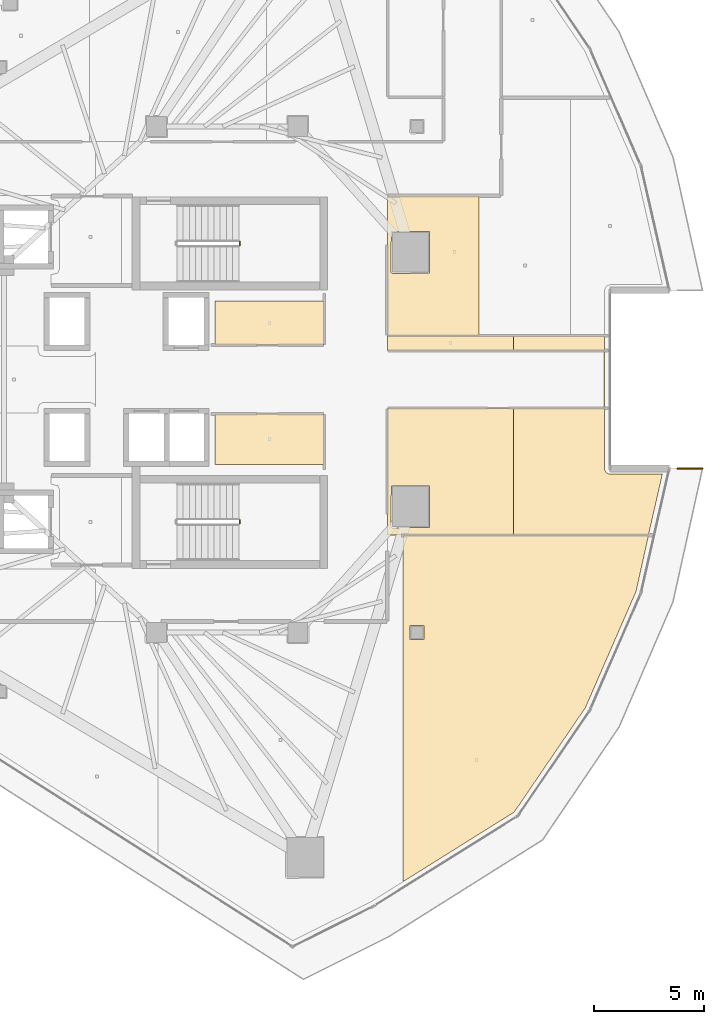
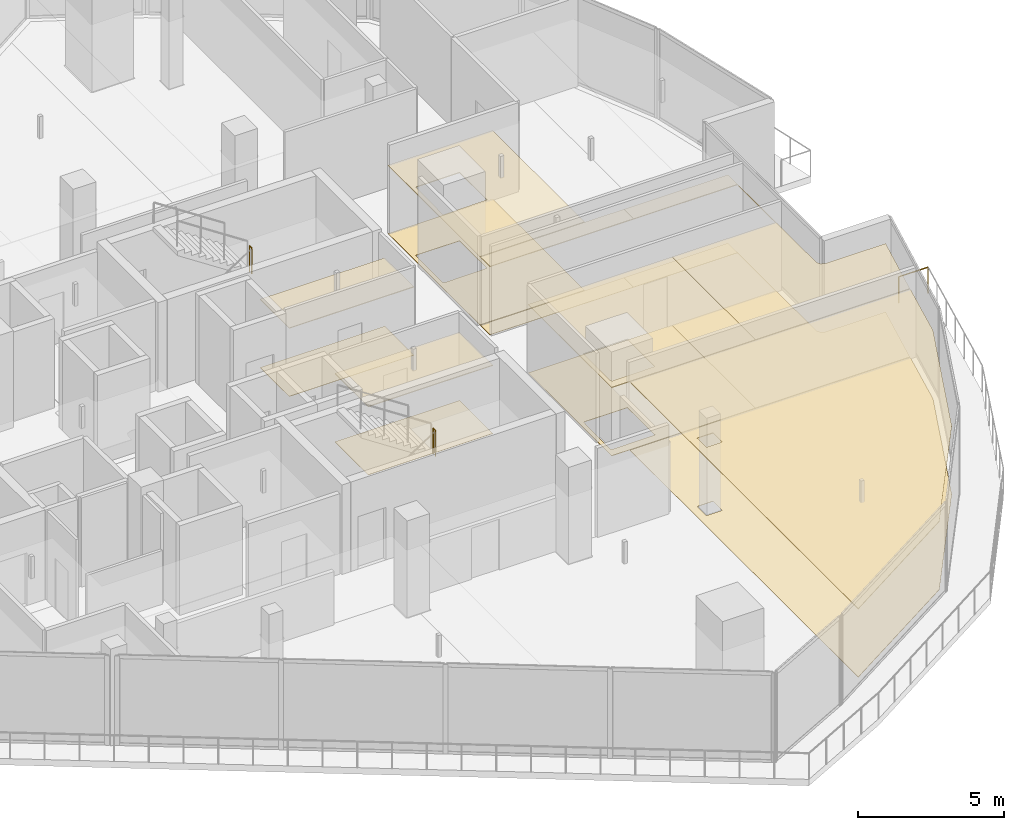
# One storey, part 33 of 34: 14 coverings, 3 railings.
"""IFC4 building model written with IfcOpenShell, lengths in metres."""

from ifc_helpers import new_model, si_unit, direction, frame, origin, origin_2d, place, context, subcontext, project, spatial, polyline, circle, outline, extrude, material, layer, layer_set, type_object, element, save


model = new_model("IFC4")

# Units and contexts
model_context = context("Model", 3, precision=1e-05, world=origin(), true_north=direction((0.0, 1.0)))
body_context = subcontext(model_context, "Body", "Model", "MODEL_VIEW")
ifc_project = project(units=[si_unit("LENGTHUNIT", "METRE"), si_unit("AREAUNIT", "SQUARE_METRE"), si_unit("VOLUMEUNIT", "CUBIC_METRE"), si_unit("PLANEANGLEUNIT", "RADIAN"), si_unit("MASSUNIT", "GRAM", prefix="KILO")], contexts=[model_context])

# Site, building, storey
site_placement = place(None, origin())
site = spatial("IfcSite", under=ifc_project, at=site_placement, CompositionType="ELEMENT")
building_placement = place(site_placement, origin())
building = spatial("IfcBuilding", under=site, at=building_placement, Name="Qorvath Tower", CompositionType="ELEMENT")
storey_placement = place(building_placement, frame((0.0, 0.0, 245.550048828125)))
storey = spatial("IfcBuildingStorey", under=building, at=storey_placement, Name="L57", CompositionType="ELEMENT", Elevation=245.550048828125)

# Coverings
ifc_material_1 = material(Name="Acoustic mineral fibre ceiling tile", Category="gypsum")
ifc_layer_1 = layer(ifc_material_1, 0.030029296875)
ifc_layer_set_1 = layer_set([ifc_layer_1], Name="COV-CEIL")
covering_type_1 = type_object("IfcCoveringType", Name="COV-CEIL", PredefinedType="CEILING", material=ifc_layer_set_1)
covering_1_placement = place(storey_placement, frame((0.0, 0.0, 2.849853515625)))
element("IfcCovering", 1, at=covering_1_placement, inside=storey, type_object=covering_type_1, Name="L57 Suspended Acoustic Ceiling 003", PredefinedType="CEILING", context=body_context, shape_type="SweptSolid", body=[
    extrude(outline(polyline([(-16.0048828125, 3.56005859375), (-20.93994140625, 3.56005859375), (-20.93994140625, 1.56494140625), (-16.0048828125, 1.56494140625), (-16.0048828125, 3.56005859375)])), origin(), (0.0, 0.0, 1.0), 0.030029296875),
])
covering_2_placement = place(storey_placement, frame((0.0, 0.0, 2.849853515625)))
element("IfcCovering", 2, at=covering_2_placement, inside=storey, type_object=covering_type_1, Name="L57 Suspended Acoustic Ceiling 004", PredefinedType="CEILING", context=body_context, shape_type="SweptSolid", body=[
    extrude(outline(polyline([(-20.93994140625, -1.56494140625), (-20.93994140625, -3.85009765625), (-16.0048828125, -3.85009765625), (-16.0048828125, -1.56494140625), (-20.93994140625, -1.56494140625)])), origin(), (0.0, 0.0, 1.0), 0.030029296875),
])
covering_3_placement = place(storey_placement, frame((0.0, 0.0, 2.849853515625)))
element("IfcCovering", 3, at=covering_3_placement, inside=storey, type_object=covering_type_1, Name="L57 Suspended Acoustic Ceiling 016", PredefinedType="CEILING", context=body_context, shape_type="SweptSolid", body=[
    extrude(outline(polyline([(-12.429931640625, -7.058349609375), (-12.429931640625, -22.733642578125), (-7.3994140625, -19.58544921875), (-4.1806640625, -14.862548828125), (-1.88671875, -9.60009765625), (-1.322509765625, -7.059814453125), (-12.429931640625, -7.058349609375)]), holes=[polyline([(-12.117431640625, -11.767333984375), (-12.117431640625, -11.132568359375), (-11.482666015625, -11.132568359375), (-11.482666015625, -11.767333984375), (-12.117431640625, -11.767333984375)])]), origin(), (0.0, 0.0, 1.0), 0.030029296875),
])
covering_4_placement = place(storey_placement, frame((0.0, 0.0, 2.849853515625)))
element("IfcCovering", 4, at=covering_4_placement, inside=storey, type_object=covering_type_1, Name="L57 Suspended Acoustic Ceiling 017", PredefinedType="CEILING", context=body_context, shape_type="SweptSolid", body=[
    extrude(outline(polyline([(-7.44287109375, -7.041015625), (-7.44287109375, -1.31005859375), (-13.136962890625, -1.31298828125), (-13.136962890625, -7.0400390625), (-7.44287109375, -7.041015625)]), holes=[polyline([(-12.981689453125, -6.657958984375), (-12.964111328125, -4.8154296875), (-11.2294921875, -4.8154296875), (-11.2294921875, -6.700439453125), (-12.921875, -6.718017578125), (-12.981689453125, -6.657958984375)])]), origin(), (0.0, 0.0, 1.0), 0.030029296875),
])
covering_5_placement = place(storey_placement, frame((0.0, 0.0, 2.849853515625)))
element("IfcCovering", 5, at=covering_5_placement, inside=storey, type_object=covering_type_1, Name="L57 Suspended Acoustic Ceiling 018", PredefinedType="CEILING", context=body_context, shape_type="SweptSolid", body=[
    extrude(outline(polyline([(-7.44287109375, 1.31298828125), (-7.44287109375, 1.975830078125), (-13.136962890625, 1.975830078125), (-13.136962890625, 1.31298828125), (-7.44287109375, 1.31298828125)])), origin(), (0.0, 0.0, 1.0), 0.030029296875),
])
covering_6_placement = place(storey_placement, frame((0.0, 0.0, 2.849853515625)))
element("IfcCovering", 6, at=covering_6_placement, inside=storey, type_object=covering_type_1, Name="L57 Suspended Acoustic Ceiling 019", PredefinedType="CEILING", context=body_context, shape_type="SweptSolid", body=[
    extrude(outline(polyline([(-3.22900390625, -4.229736328125), (-3.31640625, -4.08251953125), (-3.3212890625, 1.975830078125), (-7.44287109375, 1.975830078125), (-7.44287109375, 1.31298828125), (-3.338134765625, 1.31298828125), (-3.333251953125, -1.30810546875), (-7.44287109375, -1.31005859375), (-7.44287109375, -7.041015625), (-1.323974609375, -7.041748046875), (-0.696533203125, -4.288818359375), (-3.0908203125, -4.28759765625), (-3.22900390625, -4.229736328125)])), origin(), (0.0, 0.0, 1.0), 0.030029296875),
])
covering_7_placement = place(storey_placement, frame((0.0, 0.0, 2.849853515625)))
element("IfcCovering", 7, at=covering_7_placement, inside=storey, type_object=covering_type_1, Name="L57 Suspended Acoustic Ceiling 020", PredefinedType="CEILING", context=body_context, shape_type="SweptSolid", body=[
    extrude(outline(polyline([(-8.990234375, 1.993896484375), (-8.990234375, 8.30810546875), (-13.136962890625, 8.306884765625), (-13.136962890625, 1.993896484375), (-8.990234375, 1.993896484375)]), holes=[polyline([(-12.981689453125, 4.85791015625), (-12.964111328125, 6.700439453125), (-11.2294921875, 6.700439453125), (-11.2294921875, 4.8154296875), (-12.921875, 4.7978515625), (-12.981689453125, 4.85791015625)])]), origin(), (0.0, 0.0, 1.0), 0.030029296875),
])
ifc_material_2 = material(Name="Low-VOC modular carpet tile", Category="textile")
ifc_layer_2 = layer(ifc_material_2, 0.014892578125)
ifc_layer_set_2 = layer_set([ifc_layer_2], Name="COV-FLOOR-CPT")
covering_type_2 = type_object("IfcCoveringType", Name="COV-FLOOR-CPT", PredefinedType="FLOORING", material=ifc_layer_set_2)
covering_8_placement = place(storey_placement, origin())
element("IfcCovering", 8, at=covering_8_placement, inside=storey, type_object=covering_type_2, Name="L57 Floor Finish 003", PredefinedType="FLOORING", context=body_context, shape_type="SweptSolid", body=[
    extrude(outline(polyline([(-16.0048828125, 3.56005859375), (-20.93994140625, 3.56005859375), (-20.93994140625, 1.56494140625), (-16.0048828125, 1.56494140625), (-16.0048828125, 3.56005859375)])), origin(), (0.0, 0.0, 1.0), 0.014892578125),
])
covering_9_placement = place(storey_placement, origin())
element("IfcCovering", 9, at=covering_9_placement, inside=storey, type_object=covering_type_2, Name="L57 Floor Finish 004", PredefinedType="FLOORING", context=body_context, shape_type="SweptSolid", body=[
    extrude(outline(polyline([(-20.93994140625, -1.56494140625), (-20.93994140625, -3.85009765625), (-16.0048828125, -3.85009765625), (-16.0048828125, -1.56494140625), (-20.93994140625, -1.56494140625)])), origin(), (0.0, 0.0, 1.0), 0.014892578125),
])
covering_10_placement = place(storey_placement, origin())
element("IfcCovering", 10, at=covering_10_placement, inside=storey, type_object=covering_type_2, Name="L57 Floor Finish 016", PredefinedType="FLOORING", context=body_context, shape_type="SweptSolid", body=[
    extrude(outline(polyline([(-12.429931640625, -7.058349609375), (-12.429931640625, -22.733642578125), (-7.3994140625, -19.58544921875), (-4.1806640625, -14.862548828125), (-1.88671875, -9.60009765625), (-1.322509765625, -7.059814453125), (-12.429931640625, -7.058349609375)]), holes=[polyline([(-12.117431640625, -11.767333984375), (-12.117431640625, -11.132568359375), (-11.482666015625, -11.132568359375), (-11.482666015625, -11.767333984375), (-12.117431640625, -11.767333984375)])]), origin(), (0.0, 0.0, 1.0), 0.014892578125),
])
covering_11_placement = place(storey_placement, origin())
element("IfcCovering", 11, at=covering_11_placement, inside=storey, type_object=covering_type_2, Name="L57 Floor Finish 017", PredefinedType="FLOORING", context=body_context, shape_type="SweptSolid", body=[
    extrude(outline(polyline([(-7.44287109375, -7.041015625), (-7.44287109375, -1.31005859375), (-13.136962890625, -1.31298828125), (-13.136962890625, -7.0400390625), (-7.44287109375, -7.041015625)]), holes=[polyline([(-12.981689453125, -6.657958984375), (-12.964111328125, -4.8154296875), (-11.2294921875, -4.8154296875), (-11.2294921875, -6.700439453125), (-12.921875, -6.718017578125), (-12.981689453125, -6.657958984375)])]), origin(), (0.0, 0.0, 1.0), 0.014892578125),
])
covering_12_placement = place(storey_placement, origin())
element("IfcCovering", 12, at=covering_12_placement, inside=storey, type_object=covering_type_2, Name="L57 Floor Finish 018", PredefinedType="FLOORING", context=body_context, shape_type="SweptSolid", body=[
    extrude(outline(polyline([(-7.44287109375, 1.31298828125), (-7.44287109375, 1.975830078125), (-13.136962890625, 1.975830078125), (-13.136962890625, 1.31298828125), (-7.44287109375, 1.31298828125)])), origin(), (0.0, 0.0, 1.0), 0.014892578125),
])
covering_13_placement = place(storey_placement, origin())
element("IfcCovering", 13, at=covering_13_placement, inside=storey, type_object=covering_type_2, Name="L57 Floor Finish 019", PredefinedType="FLOORING", context=body_context, shape_type="SweptSolid", body=[
    extrude(outline(polyline([(-3.22900390625, -4.229736328125), (-3.31640625, -4.08251953125), (-3.3212890625, 1.975830078125), (-7.44287109375, 1.975830078125), (-7.44287109375, 1.31298828125), (-3.338134765625, 1.31298828125), (-3.333251953125, -1.30810546875), (-7.44287109375, -1.31005859375), (-7.44287109375, -7.041015625), (-1.323974609375, -7.041748046875), (-0.696533203125, -4.288818359375), (-3.0908203125, -4.28759765625), (-3.22900390625, -4.229736328125)])), origin(), (0.0, 0.0, 1.0), 0.014892578125),
])
covering_14_placement = place(storey_placement, origin())
element("IfcCovering", 14, at=covering_14_placement, inside=storey, type_object=covering_type_2, Name="L57 Floor Finish 020", PredefinedType="FLOORING", context=body_context, shape_type="SweptSolid", body=[
    extrude(outline(polyline([(-8.990234375, 1.993896484375), (-8.990234375, 8.30810546875), (-13.136962890625, 8.306884765625), (-13.136962890625, 1.993896484375), (-8.990234375, 1.993896484375)]), holes=[polyline([(-12.981689453125, 4.85791015625), (-12.964111328125, 6.700439453125), (-11.2294921875, 6.700439453125), (-11.2294921875, 4.8154296875), (-12.921875, 4.7978515625), (-12.981689453125, 4.85791015625)])]), origin(), (0.0, 0.0, 1.0), 0.014892578125),
])

# Railings
ifc_material_3 = material(Name="Laminated safety glass and stainless steel AISI 316", Category="steel")
railing_type_1 = type_object("IfcRailingType", Name="RL-EXT-GRD", PredefinedType="GUARDRAIL", material=ifc_material_3)
railing_placement = place(storey_placement, frame((-0.02734375, -4.03369140625, 0.0)))
element("IfcRailing", 15, at=railing_placement, inside=storey, type_object=railing_type_1, Name="Loggia Perimeter Guardrail L57-1.2", PredefinedType="GUARDRAIL", context=body_context, shape_type="SweptSolid", body=[
    extrude(circle(Radius=0.02392578125, at=origin_2d()), frame((0.0, 0.0, 1.09619140625), z_axis=(1.0, 0.0, 0.0), x_axis=(0.0, 1.0, 0.0)), (0.0, 0.0, 1.0), 1.158935546875),
    extrude(circle(Radius=0.02099609375, at=origin_2d()), origin(), (0.0, 0.0, 1.0), 1.072021484375),
    extrude(circle(Radius=0.02099609375, at=origin_2d()), frame((1.158935546875, 0.0, 0.0)), (0.0, 0.0, 1.0), 1.072021484375),
])
ifc_material_4 = material(Name="Painted galvanised steel", Category="steel")
railing_type_2 = type_object("IfcRailingType", Name="RL-STR-GRD", PredefinedType="GUARDRAIL", material=ifc_material_4)
for number, where, name in (
    (16, (-19.820068359375, 6.080078125, 2.02490234375), "L57 TS1 stair guard 2"),
    (17, (-19.820068359375, -6.52001953125, 2.02490234375), "L57 TS2 stair guard 2"),
):
    element("IfcRailing", number, at=place(storey_placement, frame(where)), inside=storey, type_object=railing_type_2, Name=name, PredefinedType="GUARDRAIL", context=body_context, shape_type="SweptSolid", body=[
        extrude(circle(Radius=0.02392578125, at=origin_2d()), frame((0.0, 0.0, 1.076171875), z_axis=(0.0, 1.0, 0.0), x_axis=(-1.0, 0.0, 0.0)), (0.0, 0.0, 1.0), 0.14990234375),
        extrude(circle(Radius=0.02099609375, at=origin_2d()), origin(), (0.0, 0.0, 1.0), 1.052001953125),
        extrude(circle(Radius=0.02099609375, at=origin_2d()), frame((0.0, 0.14990234375, 0.0)), (0.0, 0.0, 1.0), 1.052001953125),
    ])

save(model, "model.ifc")
